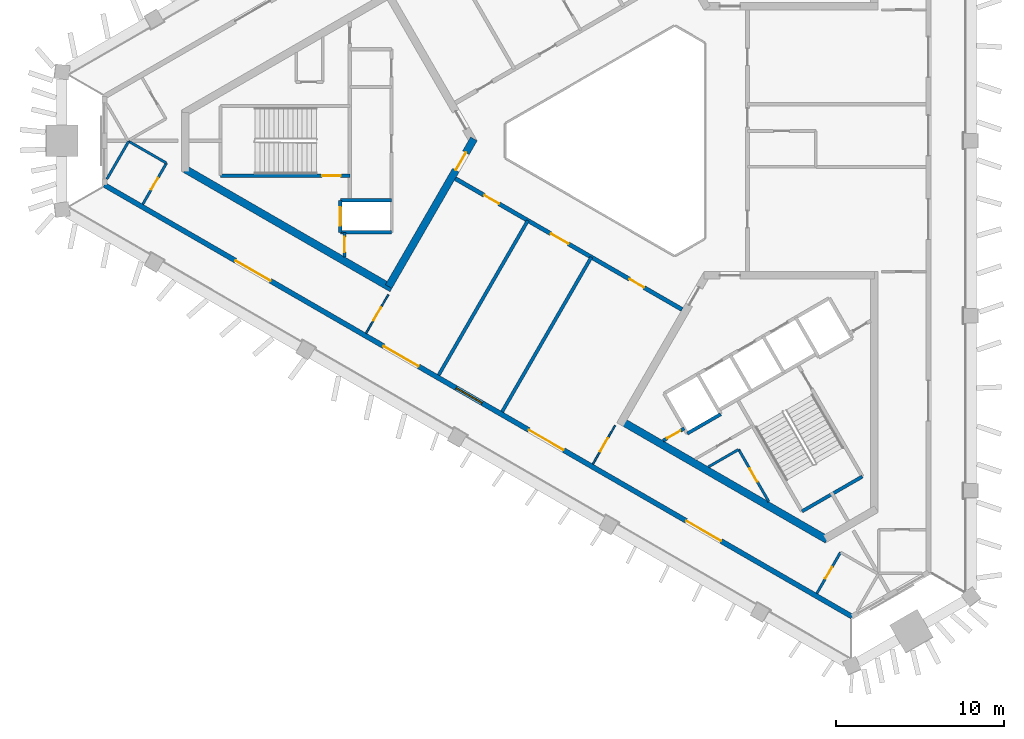
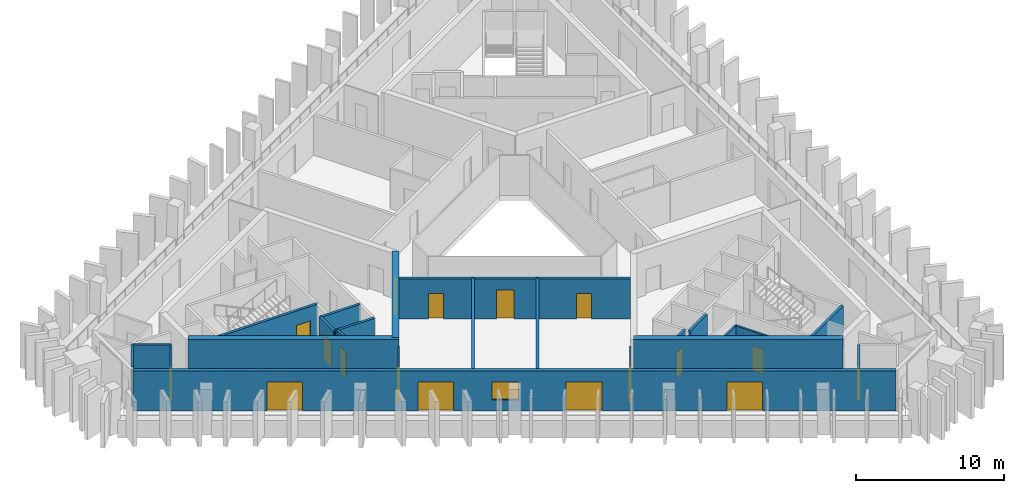
# One storey, part 2 of 9: 23 walls, 17 doors, 1 window, 18 openings.
"""IFC4 building model written with IfcOpenShell, lengths in metres."""

from ifc_helpers import new_model, si_unit, direction, frame, frame_2d, origin, place, context, subcontext, project, spatial, rectangle, extrude, material, layer, layer_set, type_object, element, fill, save


model = new_model("IFC4")

# Units and contexts
model_context = context("Model", 3, precision=1e-05, world=origin(), true_north=direction((0.0, 1.0)))
body_context = subcontext(model_context, "Body", "Model", "MODEL_VIEW")
ifc_project = project(units=[si_unit("LENGTHUNIT", "METRE"), si_unit("AREAUNIT", "SQUARE_METRE"), si_unit("VOLUMEUNIT", "CUBIC_METRE"), si_unit("PLANEANGLEUNIT", "RADIAN"), si_unit("MASSUNIT", "GRAM", prefix="KILO")], contexts=[model_context])

# Site, building, storey
site_placement = place(None, origin())
site = spatial("IfcSite", under=ifc_project, at=site_placement, CompositionType="ELEMENT")
building_placement = place(site_placement, origin())
building = spatial("IfcBuilding", under=site, at=building_placement, Name="Jabali Bay Hotel Tower and Convention Centre", CompositionType="ELEMENT")
storey_placement = place(building_placement, frame((0.0, 0.0, 209.5)))
storey = spatial("IfcBuildingStorey", under=building, at=storey_placement, Name="L51", CompositionType="ELEMENT", Elevation=209.5)

# Wall, opening, door
ifc_material_1 = material(Name="Concrete C40", Category="concrete")
ifc_layer_1 = layer(ifc_material_1, 0.199951171875)
ifc_layer_set_1 = layer_set([ifc_layer_1], Name="Concrete C40")
wall_type_1 = type_object("IfcWallType", Name="Core partition wall 200", PredefinedType="PARTITIONING", material=ifc_layer_set_1)
wall_1_placement = place(storey_placement, frame((58.10009765625, 74.550048828125, 0.0), z_axis=(0.0, 0.0, 1.0), x_axis=(0.0, -1.0, 0.0)))
wall_1 = element("IfcWall", 1, at=wall_1_placement, inside=storey, type_object=wall_type_1, Name="Core wall 0.10 L51", PredefinedType="PARTITIONING", context=body_context, shape_type="SweptSolid", body=[
    extrude(rectangle(XDim=1.455078125, YDim=0.199951171875, at=frame_2d((0.7275390625, 0.0))), origin(), (0.0, 0.0, 1.0), 3.300048828125),
])
opening_1_placement = place(wall_1_placement, frame((0.277587890625, 0.0, 0.0)))
opening_1 = element("IfcOpeningElement", 2, at=opening_1_placement, cuts=wall_1, Name="Opening D1099", PredefinedType="OPENING", context=body_context, shape_type="SweptSolid", body=[
    extrude(rectangle(XDim=0.89990234375, YDim=2.10009765625, at=frame_2d((0.449951171875, 1.050048828125))), frame((0.0, 0.1103515625, 0.0), z_axis=(0.0, -1.0, 0.0), x_axis=(1.0, 0.0, 0.0)), (0.0, 0.0, 1.0), 0.220947265625),
])
ifc_material_2 = material(Name="Fire-rated steel door", Category="steel")
door_type_1 = type_object("IfcDoorType", Name="Vestibule fire door 900 x 2100", OperationType="NOTDEFINED", PredefinedType="NOTDEFINED", material=ifc_material_2)
door_1_placement = place(opening_1_placement, origin())
door_1 = element("IfcDoor", 3, at=door_1_placement, inside=storey, type_object=door_type_1, Name="Vestibule fire door D1099", OperationType="SINGLE_SWING_LEFT", OverallHeight=2.10009765625, OverallWidth=0.89990234375, PredefinedType="NOTDEFINED", context=body_context, shape_type="SweptSolid", body=[
    extrude(rectangle(XDim=0.89990234375, YDim=2.10009765625, at=frame_2d((0.449951171875, 1.050048828125))), frame((0.0, 0.02490234375, 0.0), z_axis=(0.0, -1.0, 0.0), x_axis=(1.0, 0.0, 0.0)), (0.0, 0.0, 1.0), 0.050048828125),
])
fill(opening_1, door_1)

wall_2_placement = place(storey_placement, frame((77.070068359375, 62.142578125, 0.0), z_axis=(0.0, 0.0, 1.0), x_axis=(0.866013036001, 0.500021421018, 0.0)))
wall_2 = element("IfcWall", 4, at=wall_2_placement, inside=storey, type_object=wall_type_1, Name="Core wall 2.11 L51", PredefinedType="PARTITIONING", context=body_context, shape_type="SweptSolid", body=[
    extrude(rectangle(XDim=1.4609375, YDim=0.199951171875, at=frame_2d((0.73046875, 0.0))), origin(), (0.0, 0.0, 1.0), 3.300048828125),
])
opening_2_placement = place(wall_2_placement, frame((0.280517578125, 0.0, 0.0)))
opening_2 = element("IfcOpeningElement", 5, at=opening_2_placement, cuts=wall_2, Name="Opening D1115", PredefinedType="OPENING", context=body_context, shape_type="SweptSolid", body=[
    extrude(rectangle(XDim=0.89990234375, YDim=2.10009765625, at=frame_2d((0.449951171875, 1.050048828125))), frame((0.0, 0.1103515625, 0.0), z_axis=(0.0, -1.0, 0.0), x_axis=(1.0, 0.0, 0.0)), (0.0, 0.0, 1.0), 0.220947265625),
])
door_2_placement = place(opening_2_placement, origin())
door_2 = element("IfcDoor", 6, at=door_2_placement, inside=storey, type_object=door_type_1, Name="Vestibule fire door D1115", OperationType="SINGLE_SWING_LEFT", OverallHeight=2.10009765625, OverallWidth=0.89990234375, PredefinedType="NOTDEFINED", context=body_context, shape_type="SweptSolid", body=[
    extrude(rectangle(XDim=0.89990234375, YDim=2.10009765625, at=frame_2d((0.449951171875, 1.050048828125))), frame((0.0, 0.02490234375, 0.0), z_axis=(0.0, -1.0, 0.0), x_axis=(1.0, 0.0, 0.0)), (0.0, 0.0, 1.0), 0.050048828125),
])
fill(opening_2, door_2)

ifc_material_3 = material(Name="Fire-rated board partition")
ifc_layer_2 = layer(ifc_material_3, 0.14990234375)
ifc_layer_set_2 = layer_set([ifc_layer_2], Name="Fire-rated board partition")
wall_type_2 = type_object("IfcWallType", Name="Core room partition 150", PredefinedType="PARTITIONING", material=ifc_layer_set_2)
wall_3_placement = place(storey_placement, frame((81.56884765625, 61.622314453125, 0.0), z_axis=(0.0, 0.0, 1.0), x_axis=(0.500043557135, -0.866000254601, 0.0)))
wall_3 = element("IfcWall", 7, at=wall_3_placement, inside=storey, type_object=wall_type_2, Name="Core wall 2.1 L51", PredefinedType="PARTITIONING", context=body_context, shape_type="SweptSolid", body=[
    extrude(rectangle(XDim=3.597900390625, YDim=0.14990234375, at=frame_2d((1.798828125, 0.0))), origin(), (0.0, 0.0, 1.0), 3.300048828125),
])
opening_3_placement = place(wall_3_placement, frame((1.321533203125, 0.0, 0.0)))
opening_3 = element("IfcOpeningElement", 8, at=opening_3_placement, cuts=wall_3, Name="Opening D1117", PredefinedType="OPENING", context=body_context, shape_type="SweptSolid", body=[
    extrude(rectangle(XDim=0.89990234375, YDim=2.10009765625, at=frame_2d((0.449951171875, 1.050048828125))), frame((0.0, 0.08544921875, 0.0), z_axis=(0.0, -1.0, 0.0), x_axis=(1.0, 0.0, 0.0)), (0.0, 0.0, 1.0), 0.1708984375),
])
door_type_2 = type_object("IfcDoorType", Name="Core room door 900 x 2100", OperationType="NOTDEFINED", PredefinedType="NOTDEFINED", material=ifc_material_2)
door_3_placement = place(opening_3_placement, origin())
door_3 = element("IfcDoor", 9, at=door_3_placement, inside=storey, type_object=door_type_2, Name="Core room door D1117", OperationType="SINGLE_SWING_LEFT", OverallHeight=2.10009765625, OverallWidth=0.89990234375, PredefinedType="NOTDEFINED", context=body_context, shape_type="SweptSolid", body=[
    extrude(rectangle(XDim=0.89990234375, YDim=2.10009765625, at=frame_2d((0.449951171875, 1.050048828125))), frame((0.0, 0.02490234375, 0.0), z_axis=(0.0, -1.0, 0.0), x_axis=(1.0, 0.0, 0.0)), (0.0, 0.0, 1.0), 0.050048828125),
])
fill(opening_3, door_3)

# Wall
wall_4_placement = place(storey_placement, frame((79.77001953125, 60.583740234375, 0.0), z_axis=(0.0, 0.0, 1.0), x_axis=(0.866021168401, 0.500007335828, 0.0)))
element("IfcWall", 10, at=wall_4_placement, inside=storey, type_object=wall_type_2, Name="Core wall 2.17 L51", PredefinedType="PARTITIONING", context=body_context, shape_type="SweptSolid", body=[
    extrude(rectangle(XDim=2.0771484375, YDim=0.14990234375, at=frame_2d((1.03857421875, 0.0))), origin(), (0.0, 0.0, 1.0), 3.300048828125),
])

# Wall, opening, door
ifc_layer_3 = layer(ifc_material_1, 0.199951171875)
ifc_layer_set_3 = layer_set([ifc_layer_3], Name="Concrete C40")
wall_type_3 = type_object("IfcWallType", Name="Core stair wall 200", PredefinedType="SOLIDWALL", material=ifc_layer_set_3)
wall_5_placement = place(storey_placement, frame((58.419921875, 77.925048828125, 0.0), z_axis=(0.0, 0.0, 1.0), x_axis=(-1.0, 0.0, 0.0)))
wall_5 = element("IfcWall", 11, at=wall_5_placement, inside=storey, type_object=wall_type_3, Name="Core wall 0.5 L51", PredefinedType="SOLIDWALL", context=body_context, shape_type="SweptSolid", body=[
    extrude(rectangle(XDim=7.699951171875, YDim=0.199951171875, at=frame_2d((3.85009765625, 0.0))), origin(), (0.0, 0.0, 1.0), 3.300048828125),
])
opening_4_placement = place(wall_5_placement, frame((0.550048828125, 0.0, 0.0)))
opening_4 = element("IfcOpeningElement", 12, at=opening_4_placement, cuts=wall_5, Name="Opening D1101", PredefinedType="OPENING", context=body_context, shape_type="SweptSolid", body=[
    extrude(rectangle(XDim=1.10009765625, YDim=2.10009765625, at=frame_2d((0.550048828125, 1.050048828125))), frame((0.0, 0.1103515625, 0.0), z_axis=(0.0, -1.0, 0.0), x_axis=(1.0, 0.0, 0.0)), (0.0, 0.0, 1.0), 0.220947265625),
])
door_type_3 = type_object("IfcDoorType", Name="Stair fire door 1100 x 2100", OperationType="NOTDEFINED", PredefinedType="NOTDEFINED", material=ifc_material_2)
door_4_placement = place(opening_4_placement, origin())
door_4 = element("IfcDoor", 13, at=door_4_placement, inside=storey, type_object=door_type_3, Name="Stair fire door D1101", OperationType="SINGLE_SWING_RIGHT", OverallHeight=2.10009765625, OverallWidth=1.10009765625, PredefinedType="NOTDEFINED", context=body_context, shape_type="SweptSolid", body=[
    extrude(rectangle(XDim=1.10009765625, YDim=2.10009765625, at=frame_2d((0.550048828125, 1.050048828125))), frame((0.0, 0.02490234375, 0.0), z_axis=(0.0, -1.0, 0.0), x_axis=(1.0, 0.0, 0.0)), (0.0, 0.0, 1.0), 0.050048828125),
])
fill(opening_4, door_4)

# Walls
for number, where, z_axis, x_axis, name in (
    (14, (60.89990234375, 76.449951171875, 0.0), (0.0, 0.0, 1.0), (-1.0, 0.0, 0.0), "Core wall 0.6 L51"),
    (15, (60.89990234375, 74.550048828125, 0.0), (0.0, 0.0, 1.0), (-1.0, 0.0, 0.0), "Core wall 0.7 L51"),
):
    element("IfcWall", number, at=place(storey_placement, frame(where, z_axis=z_axis, x_axis=x_axis)), inside=storey, type_object=wall_type_3, Name=name, PredefinedType="SOLIDWALL", context=body_context, shape_type="SweptSolid", body=[
        extrude(rectangle(XDim=3.0498046875, YDim=0.199951171875, at=frame_2d((1.52490234375, 0.0))), origin(), (0.0, 0.0, 1.0), 3.300048828125),
    ])

# Wall, opening, door
wall_6_placement = place(storey_placement, frame((57.85009765625, 76.449951171875, 0.0), z_axis=(0.0, 0.0, 1.0), x_axis=(0.0, -1.0, 0.0)))
wall_6 = element("IfcWall", 16, at=wall_6_placement, inside=storey, type_object=wall_type_3, Name="Core wall 0.11 L51", PredefinedType="SOLIDWALL", context=body_context, shape_type="SweptSolid", body=[
    extrude(rectangle(XDim=1.89990234375, YDim=0.199951171875, at=frame_2d((0.949951171875, 0.0))), origin(), (0.0, 0.0, 1.0), 3.300048828125),
])
opening_5_placement = place(wall_6_placement, frame((0.39990234375, 0.0, 0.0)))
opening_5 = element("IfcOpeningElement", 17, at=opening_5_placement, cuts=wall_6, Name="Opening LD5-L51", PredefinedType="OPENING", context=body_context, shape_type="SweptSolid", body=[
    extrude(rectangle(XDim=1.10009765625, YDim=2.10009765625, at=frame_2d((0.550048828125, 1.050048828125))), frame((0.0, 0.1103515625, 0.0), z_axis=(0.0, -1.0, 0.0), x_axis=(1.0, 0.0, 0.0)), (0.0, 0.0, 1.0), 0.220947265625),
])
ifc_material_4 = material(Name="Stainless steel landing door", Category="steel")
door_type_4 = type_object("IfcDoorType", Name="Landing door 1100 x 2100", OperationType="NOTDEFINED", PredefinedType="NOTDEFINED", material=ifc_material_4)
door_5_placement = place(opening_5_placement, origin())
door_5 = element("IfcDoor", 18, at=door_5_placement, inside=storey, type_object=door_type_4, Name="Landing doors LD5-L51", OperationType="SLIDING_TO_RIGHT", OverallHeight=2.10009765625, OverallWidth=1.10009765625, PredefinedType="NOTDEFINED", context=body_context, shape_type="SweptSolid", body=[
    extrude(rectangle(XDim=1.10009765625, YDim=2.10009765625, at=frame_2d((0.550048828125, 1.050048828125))), frame((0.0, 0.02490234375, 0.0), z_axis=(0.0, -1.0, 0.0), x_axis=(1.0, 0.0, 0.0)), (0.0, 0.0, 1.0), 0.050048828125),
])
fill(opening_5, door_5)

# Walls
wall_7_placement = place(storey_placement, frame((78.51025390625, 62.570068359375, 0.0), z_axis=(0.0, 0.0, 1.0), x_axis=(0.866053019151, 0.499952165731, 0.0)))
element("IfcWall", 19, at=wall_7_placement, inside=storey, type_object=wall_type_3, Name="Core wall 2.14 L51", PredefinedType="SOLIDWALL", context=body_context, shape_type="SweptSolid", body=[
    extrude(rectangle(XDim=2.300048828125, YDim=0.199951171875, at=frame_2d((1.14990234375, 0.0))), origin(), (0.0, 0.0, 1.0), 3.300048828125),
])
wall_8_placement = place(storey_placement, frame((85.343017578125, 57.935302734375, 0.0), z_axis=(0.0, 0.0, 1.0), x_axis=(0.866004344652, 0.500036473714, 0.0)))
element("IfcWall", 20, at=wall_8_placement, inside=storey, type_object=wall_type_3, Name="Core wall 2.18 L51", PredefinedType="SOLIDWALL", context=body_context, shape_type="SweptSolid", body=[
    extrude(rectangle(XDim=4.150146484375, YDim=0.199951171875, at=frame_2d((2.0751953125, 0.0))), origin(), (0.0, 0.0, 1.0), 3.300048828125),
])
ifc_material_5 = material(Name="Concrete C60", Category="concrete")
ifc_layer_4 = layer(ifc_material_5, 0.449951171875)
ifc_layer_set_4 = layer_set([ifc_layer_4], Name="Concrete C60")
wall_type_4 = type_object("IfcWallType", Name="Core wall 450", PredefinedType="SHEAR", material=ifc_layer_set_4)
wall_9_placement = place(storey_placement, frame((48.621826171875, 78.307373046875, 0.0), z_axis=(0.0, 0.0, 1.0), x_axis=(0.86602701116, -0.499997215934, 0.0)))
element("IfcWall", 21, at=wall_9_placement, inside=storey, type_object=wall_type_4, Name="Core wall 1.4 L51", PredefinedType="SHEAR", context=body_context, shape_type="SweptSolid", body=[
    extrude(rectangle(XDim=14.20361328125, YDim=0.449951171875, at=frame_2d((7.101806640625, 0.0))), origin(), (0.0, 0.0, 1.0), 3.699951171875),
])

# Wall, opening, door
wall_10_placement = place(storey_placement, frame((60.7275390625, 71.318115234375, 0.0), z_axis=(0.0, 0.0, 1.0), x_axis=(0.500012416173, 0.866018235185, 0.0)))
wall_10 = element("IfcWall", 22, at=wall_10_placement, inside=storey, type_object=wall_type_4, Name="Core wall 1.5 L51", PredefinedType="SHEAR", context=body_context, shape_type="SweptSolid", body=[
    extrude(rectangle(XDim=10.155029296875, YDim=0.449951171875, at=frame_2d((5.07763671875, 0.0))), origin(), (0.0, 0.0, 1.0), 3.699951171875),
])
opening_6_placement = place(wall_10_placement, frame((8.0048828125, 0.0, 0.0)))
opening_6 = element("IfcOpeningElement", 23, at=opening_6_placement, cuts=wall_10, Name="Opening D1096", PredefinedType="OPENING", context=body_context, shape_type="SweptSolid", body=[
    extrude(rectangle(XDim=1.199951171875, YDim=2.10009765625, at=frame_2d((0.60009765625, 1.050048828125))), frame((0.0, 0.2353515625, 0.0), z_axis=(0.0, -1.0, 0.0), x_axis=(1.0, 0.0, 0.0)), (0.0, 0.0, 1.0), 0.470947265625),
])
door_type_5 = type_object("IfcDoorType", Name="Corridor end fire door 1200 x 2100", OperationType="NOTDEFINED", PredefinedType="NOTDEFINED", material=ifc_material_2)
door_6_placement = place(opening_6_placement, origin())
door_6 = element("IfcDoor", 24, at=door_6_placement, inside=storey, type_object=door_type_5, Name="Corridor end fire door D1096", OperationType="SINGLE_SWING_LEFT", OverallHeight=2.10009765625, OverallWidth=1.199951171875, PredefinedType="NOTDEFINED", context=body_context, shape_type="SweptSolid", body=[
    extrude(rectangle(XDim=1.199951171875, YDim=2.10009765625, at=frame_2d((0.60009765625, 1.050048828125))), frame((0.0, 0.02490234375, 0.0), z_axis=(0.0, -1.0, 0.0), x_axis=(1.0, 0.0, 0.0)), (0.0, 0.0, 1.0), 0.050048828125),
])
fill(opening_6, door_6)

# Wall
wall_11_placement = place(storey_placement, frame((74.617431640625, 63.298828125, 0.0), z_axis=(0.0, 0.0, 1.0), x_axis=(0.86602594008, -0.499999071108, 0.0)))
element("IfcWall", 25, at=wall_11_placement, inside=storey, type_object=wall_type_4, Name="Core wall 3.2 L51", PredefinedType="SHEAR", context=body_context, shape_type="SweptSolid", body=[
    extrude(rectangle(XDim=14.1083984375, YDim=0.449951171875, at=frame_2d((7.05419921875, 0.0))), origin(), (0.0, 0.0, 1.0), 3.699951171875),
])

# Wall, openings, doors
ifc_layer_5 = layer(ifc_material_5, 0.25)
ifc_layer_set_5 = layer_set([ifc_layer_5], Name="Concrete C60")
wall_type_5 = type_object("IfcWallType", Name="Corridor wall 250", PredefinedType="SHEAR", material=ifc_layer_set_5)
wall_12_placement = place(storey_placement, frame((64.699951171875, 77.748291015625, 0.0), z_axis=(0.0, 0.0, 1.0), x_axis=(0.866026492143, -0.499998114903, 0.0)))
wall_12 = element("IfcWall", 26, at=wall_12_placement, inside=storey, type_object=wall_type_5, Name="Corridor wall 3 L51", PredefinedType="SHEAR", context=body_context, shape_type="SweptSolid", body=[
    extrude(rectangle(XDim=15.58837890625, YDim=0.25, at=frame_2d((7.794189453125, 0.0))), origin(), (0.0, 0.0, 1.0), 3.300048828125),
])
opening_7_placement = place(wall_12_placement, frame((1.994140625, 0.0, 0.0)))
opening_7 = element("IfcOpeningElement", 27, at=opening_7_placement, cuts=wall_12, Name="Opening 5117", PredefinedType="OPENING", context=body_context, shape_type="SweptSolid", body=[
    extrude(rectangle(XDim=1.0, YDim=2.10009765625, at=frame_2d((0.5, 1.050048828125))), frame((0.0, 0.135498046875, 0.0), z_axis=(0.0, -1.0, 0.0), x_axis=(1.0, 0.0, 0.0)), (0.0, 0.0, 1.0), 0.27099609375),
])
opening_8_placement = place(wall_12_placement, frame((6.57080078125, 0.0, 0.0)))
opening_8 = element("IfcOpeningElement", 28, at=opening_8_placement, cuts=wall_12, Name="Opening 5120", PredefinedType="OPENING", context=body_context, shape_type="SweptSolid", body=[
    extrude(rectangle(XDim=1.199951171875, YDim=2.39990234375, at=frame_2d((0.60009765625, 1.199951171875))), frame((0.0, 0.135498046875, 0.0), z_axis=(0.0, -1.0, 0.0), x_axis=(1.0, 0.0, 0.0)), (0.0, 0.0, 1.0), 0.27099609375),
])
opening_9_placement = place(wall_12_placement, frame((11.970703125, 0.0, 0.0)))
opening_9 = element("IfcOpeningElement", 29, at=opening_9_placement, cuts=wall_12, Name="Opening 5121", PredefinedType="OPENING", context=body_context, shape_type="SweptSolid", body=[
    extrude(rectangle(XDim=1.0, YDim=2.10009765625, at=frame_2d((0.5, 1.050048828125))), frame((0.0, 0.135498046875, 0.0), z_axis=(0.0, -1.0, 0.0), x_axis=(1.0, 0.0, 0.0)), (0.0, 0.0, 1.0), 0.27099609375),
])
ifc_material_6 = material(Name="Timber", Category="wood")
door_type_6 = type_object("IfcDoorType", Name="Guest room door 1000 x 2100", OperationType="NOTDEFINED", PredefinedType="NOTDEFINED", material=ifc_material_6)
door_7_placement = place(opening_7_placement, origin())
door_7 = element("IfcDoor", 30, at=door_7_placement, inside=storey, type_object=door_type_6, Name="Door 5117", OperationType="SINGLE_SWING_LEFT", OverallHeight=2.10009765625, OverallWidth=1.0, PredefinedType="NOTDEFINED", context=body_context, shape_type="SweptSolid", body=[
    extrude(rectangle(XDim=1.0, YDim=2.10009765625, at=frame_2d((0.5, 1.050048828125))), frame((0.0, 0.02490234375, 0.0), z_axis=(0.0, -1.0, 0.0), x_axis=(1.0, 0.0, 0.0)), (0.0, 0.0, 1.0), 0.050048828125),
])
fill(opening_7, door_7)
door_8_placement = place(opening_9_placement, origin())
door_8 = element("IfcDoor", 31, at=door_8_placement, inside=storey, type_object=door_type_6, Name="Door 5121", OperationType="SINGLE_SWING_RIGHT", OverallHeight=2.10009765625, OverallWidth=1.0, PredefinedType="NOTDEFINED", context=body_context, shape_type="SweptSolid", body=[
    extrude(rectangle(XDim=1.0, YDim=2.10009765625, at=frame_2d((0.5, 1.050048828125))), frame((0.0, 0.02490234375, 0.0), z_axis=(0.0, -1.0, 0.0), x_axis=(1.0, 0.0, 0.0)), (0.0, 0.0, 1.0), 0.050048828125),
])
fill(opening_9, door_8)
door_type_7 = type_object("IfcDoorType", Name="Public room door 1200 x 2400", OperationType="NOTDEFINED", PredefinedType="NOTDEFINED", material=ifc_material_6)
door_9_placement = place(opening_8_placement, origin())
door_9 = element("IfcDoor", 32, at=door_9_placement, inside=storey, type_object=door_type_7, Name="Door 5120", OperationType="SINGLE_SWING_LEFT", OverallHeight=2.39990234375, OverallWidth=1.199951171875, PredefinedType="NOTDEFINED", context=body_context, shape_type="SweptSolid", body=[
    extrude(rectangle(XDim=1.199951171875, YDim=2.39990234375, at=frame_2d((0.60009765625, 1.199951171875))), frame((0.0, 0.02490234375, 0.0), z_axis=(0.0, -1.0, 0.0), x_axis=(1.0, 0.0, 0.0)), (0.0, 0.0, 1.0), 0.050048828125),
])
fill(opening_8, door_9)

# Wall, openings, doors, window
ifc_layer_6 = layer(ifc_material_1, 0.300048828125)
ifc_layer_set_6 = layer_set([ifc_layer_6], Name="Concrete C40")
wall_type_6 = type_object("IfcWallType", Name="External wall 300", PredefinedType="SOLIDWALL", material=ifc_layer_set_6)
wall_13_placement = place(storey_placement, frame((88.321533203125, 51.667236328125, 0.0), z_axis=(0.0, 0.0, 1.0), x_axis=(-0.866026224187, 0.499998579018, 0.0)))
wall_13 = element("IfcWall", 33, at=wall_13_placement, inside=storey, type_object=wall_type_6, Name="External wall south-west face L51", PredefinedType="SOLIDWALL", context=body_context, shape_type="SweptSolid", body=[
    extrude(rectangle(XDim=51.406494140625, YDim=0.300048828125, at=frame_2d((25.703125, 0.0))), origin(), (0.0, 0.0, 1.0), 3.300048828125),
])
opening_10_placement = place(wall_13_placement, frame((29.80322265625, 0.0, 0.0)))
opening_10 = element("IfcOpeningElement", 34, at=opening_10_placement, cuts=wall_13, Name="Opening SD1", PredefinedType="OPENING", context=body_context, shape_type="SweptSolid", body=[
    extrude(rectangle(XDim=2.39990234375, YDim=2.39990234375, at=frame_2d((1.199951171875, 1.199951171875))), frame((0.0, 0.16064453125, 0.0), z_axis=(0.0, -1.0, 0.0), x_axis=(1.0, 0.0, 0.0)), (0.0, 0.0, 1.0), 0.321044921875),
])
opening_11_placement = place(wall_13_placement, frame((39.983154296875, 0.0, 0.0)))
opening_11 = element("IfcOpeningElement", 35, at=opening_11_placement, cuts=wall_13, Name="Opening SD1", PredefinedType="OPENING", context=body_context, shape_type="SweptSolid", body=[
    extrude(rectangle(XDim=2.39990234375, YDim=2.39990234375, at=frame_2d((1.199951171875, 1.199951171875))), frame((0.0, 0.16064453125, 0.0), z_axis=(0.0, -1.0, 0.0), x_axis=(1.0, 0.0, 0.0)), (0.0, 0.0, 1.0), 0.321044921875),
])
opening_12_placement = place(wall_13_placement, frame((19.82666015625, 0.0, 0.0)))
opening_12 = element("IfcOpeningElement", 36, at=opening_12_placement, cuts=wall_13, Name="Opening SD1", PredefinedType="OPENING", context=body_context, shape_type="SweptSolid", body=[
    extrude(rectangle(XDim=2.39990234375, YDim=2.39990234375, at=frame_2d((1.199951171875, 1.199951171875))), frame((0.0, 0.16064453125, 0.0), z_axis=(0.0, -1.0, 0.0), x_axis=(1.0, 0.0, 0.0)), (0.0, 0.0, 1.0), 0.321044921875),
])
opening_13_placement = place(wall_13_placement, frame((9.0, 0.0, 0.0)))
opening_13 = element("IfcOpeningElement", 37, at=opening_13_placement, cuts=wall_13, Name="Opening SD1", PredefinedType="OPENING", context=body_context, shape_type="SweptSolid", body=[
    extrude(rectangle(XDim=2.39990234375, YDim=2.39990234375, at=frame_2d((1.199951171875, 1.199951171875))), frame((0.0, 0.16064453125, 0.0), z_axis=(0.0, -1.0, 0.0), x_axis=(1.0, 0.0, 0.0)), (0.0, 0.0, 1.0), 0.321044921875),
])
opening_14_placement = place(wall_13_placement, frame((25.4267578125, 0.0, 0.89990234375)))
opening_14 = element("IfcOpeningElement", 38, at=opening_14_placement, cuts=wall_13, Name="Opening W1", PredefinedType="OPENING", context=body_context, shape_type="SweptSolid", body=[
    extrude(rectangle(XDim=1.800048828125, YDim=1.5, at=frame_2d((0.89990234375, 0.75))), frame((0.0, 0.16064453125, 0.0), z_axis=(0.0, -1.0, 0.0), x_axis=(1.0, 0.0, 0.0)), (0.0, 0.0, 1.0), 0.321044921875),
])
ifc_material_7 = material(Name="Glass", Category="glass")
door_type_8 = type_object("IfcDoorType", Name="Loggia sliding door 2400 x 2400", OperationType="NOTDEFINED", PredefinedType="NOTDEFINED", material=ifc_material_7)
door_10_placement = place(opening_10_placement, origin())
door_10 = element("IfcDoor", 39, at=door_10_placement, inside=storey, type_object=door_type_8, Name="Loggia sliding door 5107", OperationType="SLIDING_TO_LEFT", OverallHeight=2.39990234375, OverallWidth=2.39990234375, PredefinedType="NOTDEFINED", context=body_context, shape_type="SweptSolid", body=[
    extrude(rectangle(XDim=2.39990234375, YDim=2.39990234375, at=frame_2d((1.199951171875, 1.199951171875))), frame((0.0, 0.02490234375, 0.0), z_axis=(0.0, -1.0, 0.0), x_axis=(1.0, 0.0, 0.0)), (0.0, 0.0, 1.0), 0.050048828125),
])
fill(opening_10, door_10)
door_11_placement = place(opening_11_placement, origin())
door_11 = element("IfcDoor", 40, at=door_11_placement, inside=storey, type_object=door_type_8, Name="Loggia sliding door 5107", OperationType="SLIDING_TO_RIGHT", OverallHeight=2.39990234375, OverallWidth=2.39990234375, PredefinedType="NOTDEFINED", context=body_context, shape_type="SweptSolid", body=[
    extrude(rectangle(XDim=2.39990234375, YDim=2.39990234375, at=frame_2d((1.199951171875, 1.199951171875))), frame((0.0, 0.02490234375, 0.0), z_axis=(0.0, -1.0, 0.0), x_axis=(1.0, 0.0, 0.0)), (0.0, 0.0, 1.0), 0.050048828125),
])
fill(opening_11, door_11)
door_12_placement = place(opening_12_placement, origin())
door_12 = element("IfcDoor", 41, at=door_12_placement, inside=storey, type_object=door_type_8, Name="Loggia sliding door 5108", OperationType="SLIDING_TO_LEFT", OverallHeight=2.39990234375, OverallWidth=2.39990234375, PredefinedType="NOTDEFINED", context=body_context, shape_type="SweptSolid", body=[
    extrude(rectangle(XDim=2.39990234375, YDim=2.39990234375, at=frame_2d((1.199951171875, 1.199951171875))), frame((0.0, 0.02490234375, 0.0), z_axis=(0.0, -1.0, 0.0), x_axis=(1.0, 0.0, 0.0)), (0.0, 0.0, 1.0), 0.050048828125),
])
fill(opening_12, door_12)
door_13_placement = place(opening_13_placement, origin())
door_13 = element("IfcDoor", 42, at=door_13_placement, inside=storey, type_object=door_type_8, Name="Loggia sliding door 5108", OperationType="SLIDING_TO_RIGHT", OverallHeight=2.39990234375, OverallWidth=2.39990234375, PredefinedType="NOTDEFINED", context=body_context, shape_type="SweptSolid", body=[
    extrude(rectangle(XDim=2.39990234375, YDim=2.39990234375, at=frame_2d((1.199951171875, 1.199951171875))), frame((0.0, 0.02490234375, 0.0), z_axis=(0.0, -1.0, 0.0), x_axis=(1.0, 0.0, 0.0)), (0.0, 0.0, 1.0), 0.050048828125),
])
fill(opening_13, door_13)
window_type = type_object("IfcWindowType", Name="Window 1800 x 1500", PartitioningType="SINGLE_PANEL", PredefinedType="WINDOW", material=ifc_material_7)
window_placement = place(opening_14_placement, origin())
window = element("IfcWindow", 43, at=window_placement, inside=storey, type_object=window_type, Name="Window", OverallHeight=1.5, OverallWidth=1.800048828125, PartitioningType="SINGLE_PANEL", PredefinedType="WINDOW", context=body_context, shape_type="SweptSolid", body=[
    extrude(rectangle(XDim=1.800048828125, YDim=1.5, at=frame_2d((0.89990234375, 0.75))), frame((0.0, 0.030029296875, 0.0), z_axis=(0.0, -1.0, 0.0), x_axis=(1.0, 0.0, 0.0)), (0.0, 0.0, 1.0), 0.06005859375),
])
fill(opening_14, window)

# Wall, opening, door
ifc_material_8 = material(Name="Plasterboard on steel stud", Category="steel")
ifc_layer_7 = layer(ifc_material_8, 0.10009765625)
ifc_layer_set_7 = layer_set([ifc_layer_7], Name="Plasterboard on steel stud")
wall_type_7 = type_object("IfcWallType", Name="Partition 100 unit", PredefinedType="PARTITIONING", material=ifc_layer_set_7)
wall_14_placement = place(storey_placement, frame((60.71044921875, 70.83837890625, 0.0), z_axis=(0.0, 0.0, 1.0), x_axis=(-0.49995654735, -0.86605048973, 0.0)))
wall_14 = element("IfcWall", 44, at=wall_14_placement, inside=storey, type_object=wall_type_7, Name="Partition P02 L51 029", PredefinedType="PARTITIONING", context=body_context, shape_type="SweptSolid", body=[
    extrude(rectangle(XDim=2.648193359375, YDim=0.10009765625, at=frame_2d((1.32421875, 0.0))), origin(), (0.0, 0.0, 1.0), 3.300048828125),
])
opening_15_placement = place(wall_14_placement, frame((0.8740234375, 0.0, 0.0)))
opening_15 = element("IfcOpeningElement", 45, at=opening_15_placement, cuts=wall_14, Name="Opening 5118", PredefinedType="OPENING", context=body_context, shape_type="SweptSolid", body=[
    extrude(rectangle(XDim=0.89990234375, YDim=2.10009765625, at=frame_2d((0.449951171875, 1.050048828125))), frame((0.0, 0.060546875, 0.0), z_axis=(0.0, -1.0, 0.0), x_axis=(1.0, 0.0, 0.0)), (0.0, 0.0, 1.0), 0.12109375),
])
door_type_9 = type_object("IfcDoorType", Name="Internal door 900 x 2100", OperationType="NOTDEFINED", PredefinedType="NOTDEFINED", material=ifc_material_6)
door_14_placement = place(opening_15_placement, origin())
door_14 = element("IfcDoor", 46, at=door_14_placement, inside=storey, type_object=door_type_9, Name="Door 5118", OperationType="SINGLE_SWING_LEFT", OverallHeight=2.10009765625, OverallWidth=0.89990234375, PredefinedType="NOTDEFINED", context=body_context, shape_type="SweptSolid", body=[
    extrude(rectangle(XDim=0.89990234375, YDim=2.10009765625, at=frame_2d((0.449951171875, 1.050048828125))), frame((0.0, 0.02490234375, 0.0), z_axis=(0.0, -1.0, 0.0), x_axis=(1.0, 0.0, 0.0)), (0.0, 0.0, 1.0), 0.050048828125),
])
fill(opening_15, door_14)

wall_15_placement = place(storey_placement, frame((72.886474609375, 60.750732421875, 0.0), z_axis=(0.0, 0.0, 1.0), x_axis=(0.49995654735, 0.86605048973, 0.0)))
wall_15 = element("IfcWall", 47, at=wall_15_placement, inside=storey, type_object=wall_type_7, Name="Partition P02 L51 035", PredefinedType="PARTITIONING", context=body_context, shape_type="SweptSolid", body=[
    extrude(rectangle(XDim=2.648193359375, YDim=0.10009765625, at=frame_2d((1.32421875, 0.0))), origin(), (0.0, 0.0, 1.0), 3.300048828125),
])
opening_16_placement = place(wall_15_placement, frame((0.8740234375, 0.0, 0.0)))
opening_16 = element("IfcOpeningElement", 48, at=opening_16_placement, cuts=wall_15, Name="Opening 5122", PredefinedType="OPENING", context=body_context, shape_type="SweptSolid", body=[
    extrude(rectangle(XDim=0.89990234375, YDim=2.10009765625, at=frame_2d((0.449951171875, 1.050048828125))), frame((0.0, 0.060546875, 0.0), z_axis=(0.0, -1.0, 0.0), x_axis=(1.0, 0.0, 0.0)), (0.0, 0.0, 1.0), 0.12109375),
])
door_15_placement = place(opening_16_placement, origin())
door_15 = element("IfcDoor", 49, at=door_15_placement, inside=storey, type_object=door_type_9, Name="Door 5122", OperationType="SINGLE_SWING_LEFT", OverallHeight=2.10009765625, OverallWidth=0.89990234375, PredefinedType="NOTDEFINED", context=body_context, shape_type="SweptSolid", body=[
    extrude(rectangle(XDim=0.89990234375, YDim=2.10009765625, at=frame_2d((0.449951171875, 1.050048828125))), frame((0.0, 0.02490234375, 0.0), z_axis=(0.0, -1.0, 0.0), x_axis=(1.0, 0.0, 0.0)), (0.0, 0.0, 1.0), 0.050048828125),
])
fill(opening_16, door_15)

# Walls
ifc_layer_8 = layer(ifc_material_8, 0.14990234375)
ifc_layer_set_8 = layer_set([ifc_layer_8], Name="Plasterboard on steel stud")
wall_type_8 = type_object("IfcWallType", Name="Partition 150 wet", PredefinedType="PARTITIONING", material=ifc_layer_set_8)
wall_16_placement = place(storey_placement, frame((43.951416015625, 77.7177734375, 0.0), z_axis=(0.0, 0.0, 1.0), x_axis=(0.499988060406, 0.866032297002, 0.0)))
element("IfcWall", 50, at=wall_16_placement, inside=storey, type_object=wall_type_8, Name="Partition P03 L51 031", PredefinedType="PARTITIONING", context=body_context, shape_type="SweptSolid", body=[
    extrude(rectangle(XDim=2.59912109375, YDim=0.14990234375, at=frame_2d((1.299560546875, 0.0))), origin(), (0.0, 0.0, 1.0), 3.300048828125),
])
wall_17_placement = place(storey_placement, frame((45.2509765625, 79.96875, 0.0), z_axis=(0.0, 0.0, 1.0), x_axis=(0.866062058628, -0.499936506574, 0.0)))
element("IfcWall", 51, at=wall_17_placement, inside=storey, type_object=wall_type_8, Name="Partition P03 L51 032", PredefinedType="PARTITIONING", context=body_context, shape_type="SweptSolid", body=[
    extrude(rectangle(XDim=2.599853515625, YDim=0.14990234375, at=frame_2d((1.2998046875, 0.0))), origin(), (0.0, 0.0, 1.0), 3.300048828125),
])

# Wall, opening, door
wall_18_placement = place(storey_placement, frame((47.502685546875, 78.6689453125, 0.0), z_axis=(0.0, 0.0, 1.0), x_axis=(-0.500014143148, -0.86601723808, 0.0)))
wall_18 = element("IfcWall", 52, at=wall_18_placement, inside=storey, type_object=wall_type_8, Name="Partition P03 L51 033", PredefinedType="PARTITIONING", context=body_context, shape_type="SweptSolid", body=[
    extrude(rectangle(XDim=2.82568359375, YDim=0.14990234375, at=frame_2d((1.412841796875, 0.0))), origin(), (0.0, 0.0, 1.0), 3.300048828125),
])
opening_17_placement = place(wall_18_placement, frame((1.012939453125, 0.0, 0.0)))
opening_17 = element("IfcOpeningElement", 53, at=opening_17_placement, cuts=wall_18, Name="Opening 5119", PredefinedType="OPENING", context=body_context, shape_type="SweptSolid", body=[
    extrude(rectangle(XDim=0.800048828125, YDim=2.10009765625, at=frame_2d((0.39990234375, 1.050048828125))), frame((0.0, 0.08544921875, 0.0), z_axis=(0.0, -1.0, 0.0), x_axis=(1.0, 0.0, 0.0)), (0.0, 0.0, 1.0), 0.1708984375),
])
door_type_10 = type_object("IfcDoorType", Name="En-suite door 800 x 2100", OperationType="NOTDEFINED", PredefinedType="NOTDEFINED", material=ifc_material_6)
door_16_placement = place(opening_17_placement, origin())
door_16 = element("IfcDoor", 54, at=door_16_placement, inside=storey, type_object=door_type_10, Name="Door 5119", OperationType="SINGLE_SWING_LEFT", OverallHeight=2.10009765625, OverallWidth=0.800048828125, PredefinedType="NOTDEFINED", context=body_context, shape_type="SweptSolid", body=[
    extrude(rectangle(XDim=0.800048828125, YDim=2.10009765625, at=frame_2d((0.39990234375, 1.050048828125))), frame((0.0, 0.02490234375, 0.0), z_axis=(0.0, -1.0, 0.0), x_axis=(1.0, 0.0, 0.0)), (0.0, 0.0, 1.0), 0.050048828125),
])
fill(opening_17, door_16)

wall_19_placement = place(storey_placement, frame((86.22314453125, 53.05078125, 0.0), z_axis=(0.0, 0.0, 1.0), x_axis=(0.500014143148, 0.86601723808, 0.0)))
wall_19 = element("IfcWall", 55, at=wall_19_placement, inside=storey, type_object=wall_type_8, Name="Partition P03 L51 036", PredefinedType="PARTITIONING", context=body_context, shape_type="SweptSolid", body=[
    extrude(rectangle(XDim=2.82568359375, YDim=0.14990234375, at=frame_2d((1.412841796875, 0.0))), origin(), (0.0, 0.0, 1.0), 3.300048828125),
])
opening_18_placement = place(wall_19_placement, frame((1.012939453125, 0.0, 0.0)))
opening_18 = element("IfcOpeningElement", 56, at=opening_18_placement, cuts=wall_19, Name="Opening 5123", PredefinedType="OPENING", context=body_context, shape_type="SweptSolid", body=[
    extrude(rectangle(XDim=0.800048828125, YDim=2.10009765625, at=frame_2d((0.39990234375, 1.050048828125))), frame((0.0, 0.08544921875, 0.0), z_axis=(0.0, -1.0, 0.0), x_axis=(1.0, 0.0, 0.0)), (0.0, 0.0, 1.0), 0.1708984375),
])
door_17_placement = place(opening_18_placement, origin())
door_17 = element("IfcDoor", 57, at=door_17_placement, inside=storey, type_object=door_type_10, Name="Door 5123", OperationType="SINGLE_SWING_LEFT", OverallHeight=2.10009765625, OverallWidth=0.800048828125, PredefinedType="NOTDEFINED", context=body_context, shape_type="SweptSolid", body=[
    extrude(rectangle(XDim=0.800048828125, YDim=2.10009765625, at=frame_2d((0.39990234375, 1.050048828125))), frame((0.0, 0.02490234375, 0.0), z_axis=(0.0, -1.0, 0.0), x_axis=(1.0, 0.0, 0.0)), (0.0, 0.0, 1.0), 0.050048828125),
])
fill(opening_18, door_17)

# Walls
ifc_layer_9 = layer(ifc_material_8, 0.199951171875)
ifc_layer_set_9 = layer_set([ifc_layer_9], Name="Plasterboard on steel stud")
wall_type_9 = type_object("IfcWallType", Name="Partition 200 party", PredefinedType="PARTITIONING", material=ifc_layer_set_9)
for number, where, z_axis, x_axis, name in (
    (58, (63.70654296875, 66.05078125, 0.0), (0.0, 0.0, 1.0), (0.499993571489, 0.866029115255, 0.0), "Partition P01 L51 030"),
    (59, (67.486572265625, 63.868408203125, 0.0), (0.0, 0.0, 1.0), (0.499993571489, 0.866029115255, 0.0), "Partition P01 L51 034"),
):
    element("IfcWall", number, at=place(storey_placement, frame(where, z_axis=z_axis, x_axis=x_axis)), inside=storey, type_object=wall_type_9, Name=name, PredefinedType="PARTITIONING", context=body_context, shape_type="SweptSolid", body=[
        extrude(rectangle(XDim=10.627197265625, YDim=0.199951171875, at=frame_2d((5.3134765625, 0.0))), origin(), (0.0, 0.0, 1.0), 3.300048828125),
    ])

save(model, "model.ifc")
